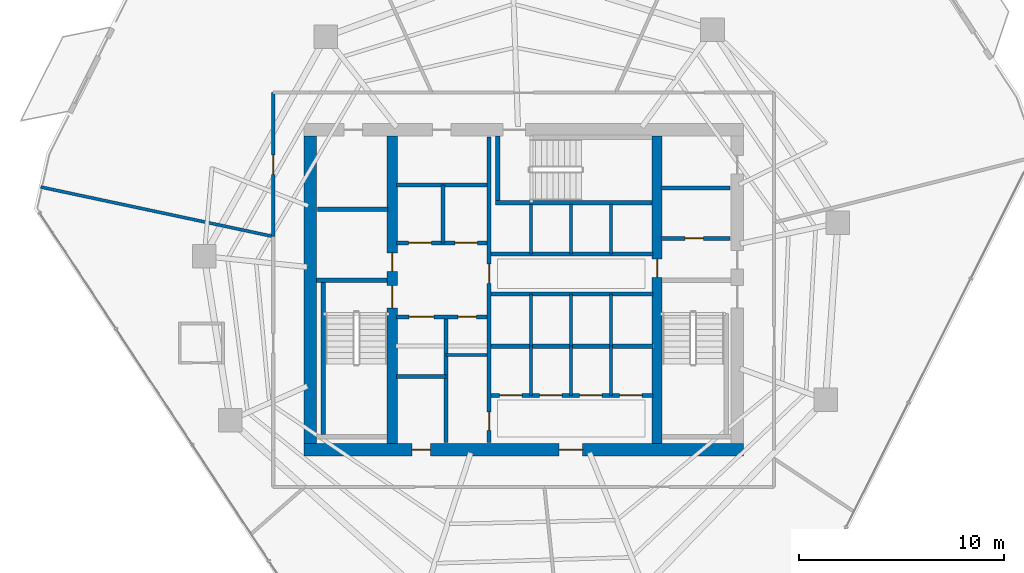
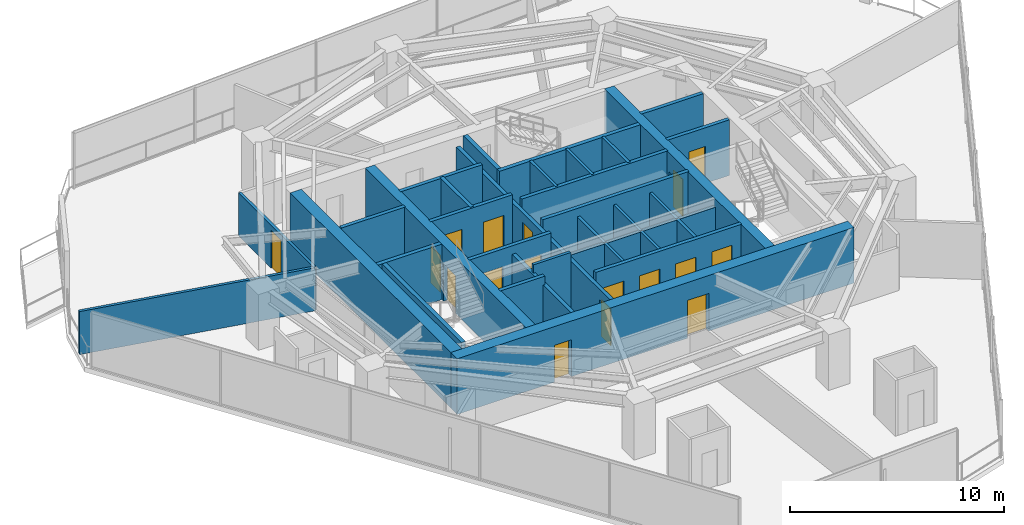
# One storey, part 25 of 30: 34 walls, 17 doors, 17 openings.
"""IFC4 building model written with IfcOpenShell, lengths in metres."""

from ifc_helpers import new_model, si_unit, direction, frame, frame_2d, origin, place, context, subcontext, project, spatial, rectangle, extrude, material, layer, layer_set, type_object, element, fill, save


model = new_model("IFC4")

# Units and contexts
model_context = context("Model", 3, precision=1e-05, world=origin(), true_north=direction((0.0, 1.0)))
body_context = subcontext(model_context, "Body", "Model", "MODEL_VIEW")
ifc_project = project(units=[si_unit("LENGTHUNIT", "METRE"), si_unit("AREAUNIT", "SQUARE_METRE"), si_unit("VOLUMEUNIT", "CUBIC_METRE"), si_unit("PLANEANGLEUNIT", "RADIAN"), si_unit("MASSUNIT", "GRAM", prefix="KILO")], contexts=[model_context])

# Site, building, storey
site_placement = place(None, origin())
site = spatial("IfcSite", under=ifc_project, at=site_placement, CompositionType="ELEMENT")
building_placement = place(site_placement, origin())
building = spatial("IfcBuilding", under=site, at=building_placement, Name="Qarnah Convention Tower", CompositionType="ELEMENT")
storey_placement = place(building_placement, frame((0.0, 0.0, 79.800048828125)))
storey = spatial("IfcBuildingStorey", under=building, at=storey_placement, Name="L20", CompositionType="ELEMENT", Elevation=79.800048828125)

# Wall, openings, doors
ifc_material_1 = material(Name="Concrete C60/75", Category="concrete")
ifc_layer_1 = layer(ifc_material_1, 0.60009765625)
ifc_layer_set_1 = layer_set([ifc_layer_1], Name="Concrete C60/75")
wall_type_1 = type_object("IfcWallType", Name="WL-CORE-600", PredefinedType="SHEAR", material=ifc_layer_set_1)
wall_1_placement = place(storey_placement, frame((26.5, 18.60009765625, 0.0), z_axis=(0.0, 0.0, 1.0), x_axis=(1.0, 0.0, 0.0)))
wall_1 = element("IfcWall", 1, at=wall_1_placement, inside=storey, type_object=wall_type_1, Name="L20 core south shear wall", PredefinedType="SHEAR", context=body_context, shape_type="SweptSolid", body=[
    extrude(rectangle(XDim=21.39990234375, YDim=0.60009765625, at=frame_2d((10.699951171875, 0.0))), origin(), (0.0, 0.0, 1.0), 3.169921875),
])
opening_1_placement = place(wall_1_placement, frame((12.425048828125, 0.0, 0.0)))
opening_1 = element("IfcOpeningElement", 2, at=opening_1_placement, cuts=wall_1, Name="Opening D-2007", PredefinedType="OPENING", context=body_context, shape_type="SweptSolid", body=[
    extrude(rectangle(XDim=1.14990234375, YDim=2.14990234375, at=frame_2d((0.574951171875, 1.074951171875))), frame((0.0, 0.31005859375, 0.0), z_axis=(0.0, -1.0, 0.0), x_axis=(1.0, 0.0, 0.0)), (0.0, 0.0, 1.0), 0.6201171875),
])
opening_2_placement = place(wall_1_placement, frame((5.25, 0.0, 0.0)))
opening_2 = element("IfcOpeningElement", 3, at=opening_2_placement, cuts=wall_1, Name="Opening D-2013", PredefinedType="OPENING", context=body_context, shape_type="SweptSolid", body=[
    extrude(rectangle(XDim=0.89990234375, YDim=2.10009765625, at=frame_2d((0.449951171875, 1.050048828125))), frame((0.0, 0.31005859375, 0.0), z_axis=(0.0, -1.0, 0.0), x_axis=(1.0, 0.0, 0.0)), (0.0, 0.0, 1.0), 0.6201171875),
])
ifc_material_2 = material(Name="Structural steel S355JR", Category="steel")
door_type_1 = type_object("IfcDoorType", Name="DT-LOBBY-1150", OperationType="NOTDEFINED", PredefinedType="DOOR", material=ifc_material_2)
door_1_placement = place(opening_1_placement, origin())
door_1 = element("IfcDoor", 4, at=door_1_placement, inside=storey, type_object=door_type_1, Name="Door D-2007", OperationType="SINGLE_SWING_RIGHT", OverallHeight=2.14990234375, OverallWidth=1.14990234375, PredefinedType="DOOR", context=body_context, shape_type="SweptSolid", body=[
    extrude(rectangle(XDim=1.14990234375, YDim=2.14990234375, at=frame_2d((0.574951171875, 1.074951171875))), frame((0.0, 0.02490234375, 0.0), z_axis=(0.0, -1.0, 0.0), x_axis=(1.0, 0.0, 0.0)), (0.0, 0.0, 1.0), 0.050048828125),
])
fill(opening_1, door_1)
door_type_2 = type_object("IfcDoorType", Name="DT-RISER-900", OperationType="NOTDEFINED", PredefinedType="DOOR", material=ifc_material_2)
door_2_placement = place(opening_2_placement, origin())
door_2 = element("IfcDoor", 5, at=door_2_placement, inside=storey, type_object=door_type_2, Name="Door D-2013", OperationType="SINGLE_SWING_RIGHT", OverallHeight=2.10009765625, OverallWidth=0.89990234375, PredefinedType="DOOR", context=body_context, shape_type="SweptSolid", body=[
    extrude(rectangle(XDim=0.89990234375, YDim=2.10009765625, at=frame_2d((0.449951171875, 1.050048828125))), frame((0.0, 0.02490234375, 0.0), z_axis=(0.0, -1.0, 0.0), x_axis=(1.0, 0.0, 0.0)), (0.0, 0.0, 1.0), 0.050048828125),
])
fill(opening_2, door_2)

# Wall
wall_2_placement = place(storey_placement, frame((26.800048828125, 18.89990234375, 0.0), z_axis=(0.0, 0.0, 1.0), x_axis=(0.0, 1.0, 0.0)))
element("IfcWall", 6, at=wall_2_placement, inside=storey, type_object=wall_type_1, Name="L20 core west shear wall", PredefinedType="SHEAR", context=body_context, shape_type="SweptSolid", body=[
    extrude(rectangle(XDim=15.0, YDim=0.60009765625, at=frame_2d((7.5, 0.0))), origin(), (0.0, 0.0, 1.0), 3.169921875),
])

# Wall, openings, doors
ifc_layer_2 = layer(ifc_material_1, 0.5)
ifc_layer_set_2 = layer_set([ifc_layer_2], Name="Concrete C60/75")
wall_type_2 = type_object("IfcWallType", Name="WL-CORE-INT-400", PredefinedType="SHEAR", material=ifc_layer_set_2)
wall_3_placement = place(storey_placement, frame((30.800048828125, 18.89990234375, 0.0), z_axis=(0.0, 0.0, 1.0), x_axis=(0.0, 1.0, 0.0)))
wall_3 = element("IfcWall", 7, at=wall_3_placement, inside=storey, type_object=wall_type_2, Name="L20 core west spine shear wall", PredefinedType="SHEAR", context=body_context, shape_type="SweptSolid", body=[
    extrude(rectangle(XDim=15.0, YDim=0.5, at=frame_2d((7.5, 0.0))), origin(), (0.0, 0.0, 1.0), 3.169921875),
])
opening_3_placement = place(wall_3_placement, frame((6.60009765625, 0.0, 0.0)))
opening_3 = element("IfcOpeningElement", 8, at=opening_3_placement, cuts=wall_3, Name="Opening D-2001", PredefinedType="OPENING", context=body_context, shape_type="SweptSolid", body=[
    extrude(rectangle(XDim=1.10009765625, YDim=2.14990234375, at=frame_2d((0.550048828125, 1.074951171875))), frame((0.0, 0.260009765625, 0.0), z_axis=(0.0, -1.0, 0.0), x_axis=(1.0, 0.0, 0.0)), (0.0, 0.0, 1.0), 0.52001953125),
])
opening_4_placement = place(wall_3_placement, frame((8.39990234375, 0.0, 0.0)))
opening_4 = element("IfcOpeningElement", 9, at=opening_4_placement, cuts=wall_3, Name="Opening D-2008", PredefinedType="OPENING", context=body_context, shape_type="SweptSolid", body=[
    extrude(rectangle(XDim=0.89990234375, YDim=2.10009765625, at=frame_2d((0.449951171875, 1.050048828125))), frame((0.0, 0.260009765625, 0.0), z_axis=(0.0, -1.0, 0.0), x_axis=(1.0, 0.0, 0.0)), (0.0, 0.0, 1.0), 0.52001953125),
])
door_3_placement = place(opening_4_placement, origin())
door_3 = element("IfcDoor", 10, at=door_3_placement, inside=storey, type_object=door_type_2, Name="Door D-2008", OperationType="SINGLE_SWING_LEFT", OverallHeight=2.10009765625, OverallWidth=0.89990234375, PredefinedType="DOOR", context=body_context, shape_type="SweptSolid", body=[
    extrude(rectangle(XDim=0.89990234375, YDim=2.10009765625, at=frame_2d((0.449951171875, 1.050048828125))), frame((0.0, 0.02490234375, 0.0), z_axis=(0.0, -1.0, 0.0), x_axis=(1.0, 0.0, 0.0)), (0.0, 0.0, 1.0), 0.050048828125),
])
fill(opening_4, door_3)
door_type_3 = type_object("IfcDoorType", Name="DT-STAIR-1100", OperationType="NOTDEFINED", PredefinedType="DOOR", material=ifc_material_2)
door_4_placement = place(opening_3_placement, origin())
door_4 = element("IfcDoor", 11, at=door_4_placement, inside=storey, type_object=door_type_3, Name="Door D-2001", OperationType="SINGLE_SWING_RIGHT", OverallHeight=2.14990234375, OverallWidth=1.10009765625, PredefinedType="DOOR", context=body_context, shape_type="SweptSolid", body=[
    extrude(rectangle(XDim=1.10009765625, YDim=2.14990234375, at=frame_2d((0.550048828125, 1.074951171875))), frame((0.0, 0.02490234375, 0.0), z_axis=(0.0, -1.0, 0.0), x_axis=(1.0, 0.0, 0.0)), (0.0, 0.0, 1.0), 0.050048828125),
])
fill(opening_3, door_4)

# Wall, opening, door
wall_4_placement = place(storey_placement, frame((43.699951171875, 18.89990234375, 0.0), z_axis=(0.0, 0.0, 1.0), x_axis=(0.0, 1.0, 0.0)))
wall_4 = element("IfcWall", 12, at=wall_4_placement, inside=storey, type_object=wall_type_2, Name="L20 core east spine shear wall", PredefinedType="SHEAR", context=body_context, shape_type="SweptSolid", body=[
    extrude(rectangle(XDim=15.0, YDim=0.5, at=frame_2d((7.5, 0.0))), origin(), (0.0, 0.0, 1.0), 3.169921875),
])
opening_5_placement = place(wall_4_placement, frame((8.10009765625, 0.0, 0.0)))
opening_5 = element("IfcOpeningElement", 13, at=opening_5_placement, cuts=wall_4, Name="Opening D-2005", PredefinedType="OPENING", context=body_context, shape_type="SweptSolid", body=[
    extrude(rectangle(XDim=0.89990234375, YDim=2.10009765625, at=frame_2d((0.449951171875, 1.050048828125))), frame((0.0, 0.260009765625, 0.0), z_axis=(0.0, -1.0, 0.0), x_axis=(1.0, 0.0, 0.0)), (0.0, 0.0, 1.0), 0.52001953125),
])
door_5_placement = place(opening_5_placement, origin())
door_5 = element("IfcDoor", 14, at=door_5_placement, inside=storey, type_object=door_type_2, Name="Door D-2005", OperationType="SINGLE_SWING_RIGHT", OverallHeight=2.10009765625, OverallWidth=0.89990234375, PredefinedType="DOOR", context=body_context, shape_type="SweptSolid", body=[
    extrude(rectangle(XDim=0.89990234375, YDim=2.10009765625, at=frame_2d((0.449951171875, 1.050048828125))), frame((0.0, 0.02490234375, 0.0), z_axis=(0.0, -1.0, 0.0), x_axis=(1.0, 0.0, 0.0)), (0.0, 0.0, 1.0), 0.050048828125),
])
fill(opening_5, door_5)

# Wall
ifc_material_3 = material(Name="Concrete C45/55", Category="concrete")
ifc_layer_3 = layer(ifc_material_3, 0.199951171875)
ifc_layer_set_3 = layer_set([ifc_layer_3], Name="Concrete C45/55")
wall_type_3 = type_object("IfcWallType", Name="WL-CORE-PART-200", PredefinedType="SOLIDWALL", material=ifc_layer_set_3)
wall_5_placement = place(storey_placement, frame((27.14990234375, 30.320068359375, 0.0), z_axis=(0.0, 0.0, 1.0), x_axis=(1.0, 0.0, 0.0)))
element("IfcWall", 15, at=wall_5_placement, inside=storey, type_object=wall_type_3, Name="L20 interior wall IW-L20-ELRN", PredefinedType="SOLIDWALL", context=body_context, shape_type="SweptSolid", body=[
    extrude(rectangle(XDim=3.4501953125, YDim=0.199951171875, at=frame_2d((1.72509765625, 0.0))), origin(), (0.0, 0.0, 1.0), 3.169921875),
])

# Wall, opening, door
wall_6_placement = place(storey_placement, frame((43.89990234375, 28.89990234375, 0.0), z_axis=(0.0, 0.0, 1.0), x_axis=(1.0, 0.0, 0.0)))
wall_6 = element("IfcWall", 16, at=wall_6_placement, inside=storey, type_object=wall_type_3, Name="L20 interior wall IW-L20-EVSTN", PredefinedType="SOLIDWALL", context=body_context, shape_type="SweptSolid", body=[
    extrude(rectangle(XDim=3.35009765625, YDim=0.199951171875, at=frame_2d((1.675048828125, 0.0))), origin(), (0.0, 0.0, 1.0), 3.169921875),
])
opening_6_placement = place(wall_6_placement, frame((1.14990234375, 0.0, 0.0)))
opening_6 = element("IfcOpeningElement", 17, at=opening_6_placement, cuts=wall_6, Name="Opening D-2011", PredefinedType="OPENING", context=body_context, shape_type="SweptSolid", body=[
    extrude(rectangle(XDim=0.89990234375, YDim=2.10009765625, at=frame_2d((0.449951171875, 1.050048828125))), frame((0.0, 0.10986328125, 0.0), z_axis=(0.0, -1.0, 0.0), x_axis=(1.0, 0.0, 0.0)), (0.0, 0.0, 1.0), 0.219970703125),
])
door_6_placement = place(opening_6_placement, origin())
door_6 = element("IfcDoor", 18, at=door_6_placement, inside=storey, type_object=door_type_2, Name="Door D-2011", OperationType="SINGLE_SWING_RIGHT", OverallHeight=2.10009765625, OverallWidth=0.89990234375, PredefinedType="DOOR", context=body_context, shape_type="SweptSolid", body=[
    extrude(rectangle(XDim=0.89990234375, YDim=2.10009765625, at=frame_2d((0.449951171875, 1.050048828125))), frame((0.0, 0.02490234375, 0.0), z_axis=(0.0, -1.0, 0.0), x_axis=(1.0, 0.0, 0.0)), (0.0, 0.0, 1.0), 0.050048828125),
])
fill(opening_6, door_6)

# Wall
wall_7_placement = place(storey_placement, frame((43.89990234375, 31.35009765625, 0.0), z_axis=(0.0, 0.0, 1.0), x_axis=(1.0, 0.0, 0.0)))
element("IfcWall", 19, at=wall_7_placement, inside=storey, type_object=wall_type_3, Name="L20 interior wall IW-L20-WTRN", PredefinedType="SOLIDWALL", context=body_context, shape_type="SweptSolid", body=[
    extrude(rectangle(XDim=3.35009765625, YDim=0.199951171875, at=frame_2d((1.675048828125, 0.0))), origin(), (0.0, 0.0, 1.0), 3.169921875),
])

# Wall, openings, doors
wall_8_placement = place(storey_placement, frame((35.52001953125, 18.949951171875, 0.0), z_axis=(0.0, 0.0, 1.0), x_axis=(0.0, 1.0, 0.0)))
wall_8 = element("IfcWall", 20, at=wall_8_placement, inside=storey, type_object=wall_type_3, Name="L20 interior wall IW-L20-CSP", PredefinedType="SOLIDWALL", context=body_context, shape_type="SweptSolid", body=[
    extrude(rectangle(XDim=14.900146484375, YDim=0.199951171875, at=frame_2d((7.4501953125, 0.0))), origin(), (0.0, 0.0, 1.0), 2.69091796875),
])
opening_7_placement = place(wall_8_placement, frame((7.7548828125, 0.0, 0.0)))
opening_7 = element("IfcOpeningElement", 21, at=opening_7_placement, cuts=wall_8, Name="Opening D-2004", PredefinedType="OPENING", context=body_context, shape_type="SweptSolid", body=[
    extrude(rectangle(XDim=0.949951171875, YDim=2.14990234375, at=frame_2d((0.47509765625, 1.074951171875))), frame((0.0, 0.10986328125, 0.0), z_axis=(0.0, -1.0, 0.0), x_axis=(1.0, 0.0, 0.0)), (0.0, 0.0, 1.0), 0.219970703125),
])
opening_8_placement = place(wall_8_placement, frame((0.60009765625, 0.0, 0.0)))
opening_8 = element("IfcOpeningElement", 22, at=opening_8_placement, cuts=wall_8, Name="Opening D-2014", PredefinedType="OPENING", context=body_context, shape_type="SweptSolid", body=[
    extrude(rectangle(XDim=0.89990234375, YDim=2.10009765625, at=frame_2d((0.449951171875, 1.050048828125))), frame((0.0, 0.10986328125, 0.0), z_axis=(0.0, -1.0, 0.0), x_axis=(1.0, 0.0, 0.0)), (0.0, 0.0, 1.0), 0.219970703125),
])
ifc_material_4 = material(Name="Oak timber veneer", Category="wood")
door_type_4 = type_object("IfcDoorType", Name="DT-HOTEL-950", OperationType="NOTDEFINED", PredefinedType="DOOR", material=ifc_material_4)
door_7_placement = place(opening_7_placement, origin())
door_7 = element("IfcDoor", 23, at=door_7_placement, inside=storey, type_object=door_type_4, Name="Door D-2004", OperationType="SINGLE_SWING_LEFT", OverallHeight=2.14990234375, OverallWidth=0.949951171875, PredefinedType="DOOR", context=body_context, shape_type="SweptSolid", body=[
    extrude(rectangle(XDim=0.949951171875, YDim=2.14990234375, at=frame_2d((0.47509765625, 1.074951171875))), frame((0.0, 0.02490234375, 0.0), z_axis=(0.0, -1.0, 0.0), x_axis=(1.0, 0.0, 0.0)), (0.0, 0.0, 1.0), 0.050048828125),
])
fill(opening_7, door_7)
door_8_placement = place(opening_8_placement, origin())
door_8 = element("IfcDoor", 24, at=door_8_placement, inside=storey, type_object=door_type_2, Name="Door D-2014", OperationType="SINGLE_SWING_LEFT", OverallHeight=2.10009765625, OverallWidth=0.89990234375, PredefinedType="DOOR", context=body_context, shape_type="SweptSolid", body=[
    extrude(rectangle(XDim=0.89990234375, YDim=2.10009765625, at=frame_2d((0.449951171875, 1.050048828125))), frame((0.0, 0.02490234375, 0.0), z_axis=(0.0, -1.0, 0.0), x_axis=(1.0, 0.0, 0.0)), (0.0, 0.0, 1.0), 0.050048828125),
])
fill(opening_8, door_8)

wall_9_placement = place(storey_placement, frame((31.0, 28.679931640625, 0.0), z_axis=(0.0, 0.0, 1.0), x_axis=(1.0, 0.0, 0.0)))
wall_9 = element("IfcWall", 25, at=wall_9_placement, inside=storey, type_object=wall_type_3, Name="L20 interior wall IW-L20-FFLS", PredefinedType="SOLIDWALL", context=body_context, shape_type="SweptSolid", body=[
    extrude(rectangle(XDim=4.419921875, YDim=0.199951171875, at=frame_2d((2.2099609375, 0.0))), origin(), (0.0, 0.0, 1.0), 3.169921875),
])
opening_9_placement = place(wall_9_placement, frame((0.60009765625, 0.0, 0.0)))
opening_9 = element("IfcOpeningElement", 26, at=opening_9_placement, cuts=wall_9, Name="Opening LD-2001", PredefinedType="OPENING", context=body_context, shape_type="SweptSolid", body=[
    extrude(rectangle(XDim=1.10009765625, YDim=2.14990234375, at=frame_2d((0.550048828125, 1.074951171875))), frame((0.0, 0.10986328125, 0.0), z_axis=(0.0, -1.0, 0.0), x_axis=(1.0, 0.0, 0.0)), (0.0, 0.0, 1.0), 0.219970703125),
])
opening_10_placement = place(wall_9_placement, frame((2.85009765625, 0.0, 0.0)))
opening_10 = element("IfcOpeningElement", 27, at=opening_10_placement, cuts=wall_9, Name="Opening LD-2002", PredefinedType="OPENING", context=body_context, shape_type="SweptSolid", body=[
    extrude(rectangle(XDim=1.10009765625, YDim=2.14990234375, at=frame_2d((0.550048828125, 1.074951171875))), frame((0.0, 0.10986328125, 0.0), z_axis=(0.0, -1.0, 0.0), x_axis=(1.0, 0.0, 0.0)), (0.0, 0.0, 1.0), 0.219970703125),
])
door_type_5 = type_object("IfcDoorType", Name="DT-LIFT-1100", OperationType="SLIDING_TO_LEFT", PredefinedType="DOOR", material=ifc_material_2)
door_9_placement = place(opening_9_placement, origin())
door_9 = element("IfcDoor", 28, at=door_9_placement, inside=storey, type_object=door_type_5, Name="Door LD-2001", OperationType="SLIDING_TO_LEFT", OverallHeight=2.14990234375, OverallWidth=1.10009765625, PredefinedType="DOOR", context=body_context, shape_type="SweptSolid", body=[
    extrude(rectangle(XDim=1.10009765625, YDim=2.14990234375, at=frame_2d((0.550048828125, 1.074951171875))), frame((0.0, 0.02490234375, 0.0), z_axis=(0.0, -1.0, 0.0), x_axis=(1.0, 0.0, 0.0)), (0.0, 0.0, 1.0), 0.050048828125),
])
fill(opening_9, door_9)
door_10_placement = place(opening_10_placement, origin())
door_10 = element("IfcDoor", 29, at=door_10_placement, inside=storey, type_object=door_type_5, Name="Door LD-2002", OperationType="SLIDING_TO_LEFT", OverallHeight=2.14990234375, OverallWidth=1.10009765625, PredefinedType="DOOR", context=body_context, shape_type="SweptSolid", body=[
    extrude(rectangle(XDim=1.10009765625, YDim=2.14990234375, at=frame_2d((0.550048828125, 1.074951171875))), frame((0.0, 0.02490234375, 0.0), z_axis=(0.0, -1.0, 0.0), x_axis=(1.0, 0.0, 0.0)), (0.0, 0.0, 1.0), 0.050048828125),
])
fill(opening_10, door_10)

# Walls
wall_10_placement = place(storey_placement, frame((31.0, 31.5, 0.0), z_axis=(0.0, 0.0, 1.0), x_axis=(1.0, 0.0, 0.0)))
element("IfcWall", 30, at=wall_10_placement, inside=storey, type_object=wall_type_3, Name="L20 interior wall IW-L20-FFLN", PredefinedType="SOLIDWALL", context=body_context, shape_type="SweptSolid", body=[
    extrude(rectangle(XDim=4.419921875, YDim=0.199951171875, at=frame_2d((2.2099609375, 0.0))), origin(), (0.0, 0.0, 1.0), 3.169921875),
])
wall_11_placement = place(storey_placement, frame((33.280029296875, 28.679931640625, 0.0), z_axis=(0.0, 0.0, 1.0), x_axis=(0.0, 1.0, 0.0)))
element("IfcWall", 31, at=wall_11_placement, inside=storey, type_object=wall_type_3, Name="L20 interior wall IW-L20-FFLM", PredefinedType="SOLIDWALL", context=body_context, shape_type="SweptSolid", body=[
    extrude(rectangle(XDim=2.820068359375, YDim=0.199951171875, at=frame_2d((1.41015625, 0.0))), origin(), (0.0, 0.0, 1.0), 3.169921875),
])

# Wall, openings, doors
wall_12_placement = place(storey_placement, frame((31.0, 25.080078125, 0.0), z_axis=(0.0, 0.0, 1.0), x_axis=(1.0, 0.0, 0.0)))
wall_12 = element("IfcWall", 32, at=wall_12_placement, inside=storey, type_object=wall_type_3, Name="L20 interior wall IW-L20-FFLBS", PredefinedType="SOLIDWALL", context=body_context, shape_type="SweptSolid", body=[
    extrude(rectangle(XDim=4.419921875, YDim=0.199951171875, at=frame_2d((2.2099609375, 0.0))), origin(), (0.0, 0.0, 1.0), 3.169921875),
])
opening_11_placement = place(wall_12_placement, frame((3.0, 0.0, 0.0)))
opening_11 = element("IfcOpeningElement", 33, at=opening_11_placement, cuts=wall_12, Name="Opening D-2015", PredefinedType="OPENING", context=body_context, shape_type="SweptSolid", body=[
    extrude(rectangle(XDim=0.89990234375, YDim=2.10009765625, at=frame_2d((0.449951171875, 1.050048828125))), frame((0.0, 0.10986328125, 0.0), z_axis=(0.0, -1.0, 0.0), x_axis=(1.0, 0.0, 0.0)), (0.0, 0.0, 1.0), 0.219970703125),
])
opening_12_placement = place(wall_12_placement, frame((0.6201171875, 0.0, 0.0)))
opening_12 = element("IfcOpeningElement", 34, at=opening_12_placement, cuts=wall_12, Name="Opening LD-2003", PredefinedType="OPENING", context=body_context, shape_type="SweptSolid", body=[
    extrude(rectangle(XDim=1.199951171875, YDim=2.14990234375, at=frame_2d((0.60009765625, 1.074951171875))), frame((0.0, 0.10986328125, 0.0), z_axis=(0.0, -1.0, 0.0), x_axis=(1.0, 0.0, 0.0)), (0.0, 0.0, 1.0), 0.219970703125),
])
door_type_6 = type_object("IfcDoorType", Name="DT-LIFT-1200", OperationType="SLIDING_TO_LEFT", PredefinedType="DOOR", material=ifc_material_2)
door_11_placement = place(opening_12_placement, origin())
door_11 = element("IfcDoor", 35, at=door_11_placement, inside=storey, type_object=door_type_6, Name="Door LD-2003", OperationType="SLIDING_TO_LEFT", OverallHeight=2.14990234375, OverallWidth=1.199951171875, PredefinedType="DOOR", context=body_context, shape_type="SweptSolid", body=[
    extrude(rectangle(XDim=1.199951171875, YDim=2.14990234375, at=frame_2d((0.60009765625, 1.074951171875))), frame((0.0, 0.02490234375, 0.0), z_axis=(0.0, -1.0, 0.0), x_axis=(1.0, 0.0, 0.0)), (0.0, 0.0, 1.0), 0.050048828125),
])
fill(opening_12, door_11)
door_12_placement = place(opening_11_placement, origin())
door_12 = element("IfcDoor", 36, at=door_12_placement, inside=storey, type_object=door_type_2, Name="Door D-2015", OperationType="SINGLE_SWING_RIGHT", OverallHeight=2.10009765625, OverallWidth=0.89990234375, PredefinedType="DOOR", context=body_context, shape_type="SweptSolid", body=[
    extrude(rectangle(XDim=0.89990234375, YDim=2.10009765625, at=frame_2d((0.449951171875, 1.050048828125))), frame((0.0, 0.02490234375, 0.0), z_axis=(0.0, -1.0, 0.0), x_axis=(1.0, 0.0, 0.0)), (0.0, 0.0, 1.0), 0.050048828125),
])
fill(opening_11, door_12)

# Walls
wall_13_placement = place(storey_placement, frame((33.419921875, 18.949951171875, 0.0), z_axis=(0.0, 0.0, 1.0), x_axis=(0.0, 1.0, 0.0)))
element("IfcWall", 37, at=wall_13_placement, inside=storey, type_object=wall_type_3, Name="L20 interior wall IW-L20-SVLE", PredefinedType="SOLIDWALL", context=body_context, shape_type="SweptSolid", body=[
    extrude(rectangle(XDim=6.130126953125, YDim=0.199951171875, at=frame_2d((3.06494140625, 0.0))), origin(), (0.0, 0.0, 1.0), 2.69091796875),
])
wall_14_placement = place(storey_placement, frame((31.0, 22.179931640625, 0.0), z_axis=(0.0, 0.0, 1.0), x_axis=(1.0, 0.0, 0.0)))
element("IfcWall", 38, at=wall_14_placement, inside=storey, type_object=wall_type_3, Name="L20 interior wall IW-L20-SVLS", PredefinedType="SOLIDWALL", context=body_context, shape_type="SweptSolid", body=[
    extrude(rectangle(XDim=2.419921875, YDim=0.199951171875, at=frame_2d((1.2099609375, 0.0))), origin(), (0.0, 0.0, 1.0), 3.169921875),
])
for number, where, z_axis, x_axis, name in (
    (39, (35.6201171875, 28.14990234375, 0.0), (0.0, 0.0, 1.0), (1.0, 0.0, 0.0), "L20 interior wall IW-L20-PHS"),
    (40, (35.6201171875, 26.199951171875, 0.0), (0.0, 0.0, 1.0), (1.0, 0.0, 0.0), "L20 interior wall IW-L20-PMN"),
):
    element("IfcWall", number, at=place(storey_placement, frame(where, z_axis=z_axis, x_axis=x_axis)), inside=storey, type_object=wall_type_3, Name=name, PredefinedType="SOLIDWALL", context=body_context, shape_type="SweptSolid", body=[
        extrude(rectangle(XDim=7.8798828125, YDim=0.199951171875, at=frame_2d((3.93994140625, 0.0))), origin(), (0.0, 0.0, 1.0), 3.169921875),
    ])
wall_15_placement = place(storey_placement, frame((35.6201171875, 23.64990234375, 0.0), z_axis=(0.0, 0.0, 1.0), x_axis=(1.0, 0.0, 0.0)))
element("IfcWall", 41, at=wall_15_placement, inside=storey, type_object=wall_type_3, Name="L20 interior wall IW-L20-PMPL", PredefinedType="SOLIDWALL", context=body_context, shape_type="SweptSolid", body=[
    extrude(rectangle(XDim=7.8798828125, YDim=0.199951171875, at=frame_2d((3.93994140625, 0.0))), origin(), (0.0, 0.0, 1.0), 2.69091796875),
])

# Wall, openings, doors
wall_16_placement = place(storey_placement, frame((35.6201171875, 21.25, 0.0), z_axis=(0.0, 0.0, 1.0), x_axis=(1.0, 0.0, 0.0)))
wall_16 = element("IfcWall", 42, at=wall_16_placement, inside=storey, type_object=wall_type_3, Name="L20 interior wall IW-L20-PLS", PredefinedType="SOLIDWALL", context=body_context, shape_type="SweptSolid", body=[
    extrude(rectangle(XDim=7.8798828125, YDim=0.199951171875, at=frame_2d((3.93994140625, 0.0))), origin(), (0.0, 0.0, 1.0), 3.169921875),
])
opening_13_placement = place(wall_16_placement, frame((0.405029296875, 0.0, 0.0)))
opening_13 = element("IfcOpeningElement", 43, at=opening_13_placement, cuts=wall_16, Name="Opening LD-2004", PredefinedType="OPENING", context=body_context, shape_type="SweptSolid", body=[
    extrude(rectangle(XDim=1.10009765625, YDim=2.14990234375, at=frame_2d((0.550048828125, 1.074951171875))), frame((0.0, 0.10986328125, 0.0), z_axis=(0.0, -1.0, 0.0), x_axis=(1.0, 0.0, 0.0)), (0.0, 0.0, 1.0), 0.219970703125),
])
opening_14_placement = place(wall_16_placement, frame((2.35498046875, 0.0, 0.0)))
opening_14 = element("IfcOpeningElement", 44, at=opening_14_placement, cuts=wall_16, Name="Opening LD-2005", PredefinedType="OPENING", context=body_context, shape_type="SweptSolid", body=[
    extrude(rectangle(XDim=1.10009765625, YDim=2.14990234375, at=frame_2d((0.550048828125, 1.074951171875))), frame((0.0, 0.10986328125, 0.0), z_axis=(0.0, -1.0, 0.0), x_axis=(1.0, 0.0, 0.0)), (0.0, 0.0, 1.0), 0.219970703125),
])
opening_15_placement = place(wall_16_placement, frame((4.304931640625, 0.0, 0.0)))
opening_15 = element("IfcOpeningElement", 45, at=opening_15_placement, cuts=wall_16, Name="Opening LD-2006", PredefinedType="OPENING", context=body_context, shape_type="SweptSolid", body=[
    extrude(rectangle(XDim=1.10009765625, YDim=2.14990234375, at=frame_2d((0.550048828125, 1.074951171875))), frame((0.0, 0.10986328125, 0.0), z_axis=(0.0, -1.0, 0.0), x_axis=(1.0, 0.0, 0.0)), (0.0, 0.0, 1.0), 0.219970703125),
])
opening_16_placement = place(wall_16_placement, frame((6.2548828125, 0.0, 0.0)))
opening_16 = element("IfcOpeningElement", 46, at=opening_16_placement, cuts=wall_16, Name="Opening LD-2007", PredefinedType="OPENING", context=body_context, shape_type="SweptSolid", body=[
    extrude(rectangle(XDim=1.10009765625, YDim=2.14990234375, at=frame_2d((0.550048828125, 1.074951171875))), frame((0.0, 0.10986328125, 0.0), z_axis=(0.0, -1.0, 0.0), x_axis=(1.0, 0.0, 0.0)), (0.0, 0.0, 1.0), 0.219970703125),
])
door_13_placement = place(opening_13_placement, origin())
door_13 = element("IfcDoor", 47, at=door_13_placement, inside=storey, type_object=door_type_5, Name="Door LD-2004", OperationType="SLIDING_TO_LEFT", OverallHeight=2.14990234375, OverallWidth=1.10009765625, PredefinedType="DOOR", context=body_context, shape_type="SweptSolid", body=[
    extrude(rectangle(XDim=1.10009765625, YDim=2.14990234375, at=frame_2d((0.550048828125, 1.074951171875))), frame((0.0, 0.02490234375, 0.0), z_axis=(0.0, -1.0, 0.0), x_axis=(1.0, 0.0, 0.0)), (0.0, 0.0, 1.0), 0.050048828125),
])
fill(opening_13, door_13)
door_14_placement = place(opening_14_placement, origin())
door_14 = element("IfcDoor", 48, at=door_14_placement, inside=storey, type_object=door_type_5, Name="Door LD-2005", OperationType="SLIDING_TO_LEFT", OverallHeight=2.14990234375, OverallWidth=1.10009765625, PredefinedType="DOOR", context=body_context, shape_type="SweptSolid", body=[
    extrude(rectangle(XDim=1.10009765625, YDim=2.14990234375, at=frame_2d((0.550048828125, 1.074951171875))), frame((0.0, 0.02490234375, 0.0), z_axis=(0.0, -1.0, 0.0), x_axis=(1.0, 0.0, 0.0)), (0.0, 0.0, 1.0), 0.050048828125),
])
fill(opening_14, door_14)
door_15_placement = place(opening_15_placement, origin())
door_15 = element("IfcDoor", 49, at=door_15_placement, inside=storey, type_object=door_type_5, Name="Door LD-2006", OperationType="SLIDING_TO_LEFT", OverallHeight=2.14990234375, OverallWidth=1.10009765625, PredefinedType="DOOR", context=body_context, shape_type="SweptSolid", body=[
    extrude(rectangle(XDim=1.10009765625, YDim=2.14990234375, at=frame_2d((0.550048828125, 1.074951171875))), frame((0.0, 0.02490234375, 0.0), z_axis=(0.0, -1.0, 0.0), x_axis=(1.0, 0.0, 0.0)), (0.0, 0.0, 1.0), 0.050048828125),
])
fill(opening_15, door_15)
door_16_placement = place(opening_16_placement, origin())
door_16 = element("IfcDoor", 50, at=door_16_placement, inside=storey, type_object=door_type_5, Name="Door LD-2007", OperationType="SLIDING_TO_LEFT", OverallHeight=2.14990234375, OverallWidth=1.10009765625, PredefinedType="DOOR", context=body_context, shape_type="SweptSolid", body=[
    extrude(rectangle(XDim=1.10009765625, YDim=2.14990234375, at=frame_2d((0.550048828125, 1.074951171875))), frame((0.0, 0.02490234375, 0.0), z_axis=(0.0, -1.0, 0.0), x_axis=(1.0, 0.0, 0.0)), (0.0, 0.0, 1.0), 0.050048828125),
])
fill(opening_16, door_16)

# Walls
ifc_layer_4 = layer(ifc_material_1, 0.219970703125)
ifc_layer_set_4 = layer_set([ifc_layer_4], Name="Concrete C60/75")
wall_type_4 = type_object("IfcWallType", Name="WL-CORE-STAIR-220", PredefinedType="SHEAR", material=ifc_layer_set_4)
wall_17_placement = place(storey_placement, frame((27.10009765625, 26.860107421875, 0.0), z_axis=(0.0, 0.0, 1.0), x_axis=(1.0, 0.0, 0.0)))
element("IfcWall", 51, at=wall_17_placement, inside=storey, type_object=wall_type_4, Name="L20 stair shaft shear wall SW-L20-ST1N", PredefinedType="SHEAR", context=body_context, shape_type="SweptSolid", body=[
    extrude(rectangle(XDim=3.449951171875, YDim=0.219970703125, at=frame_2d((1.72509765625, 0.0))), origin(), (0.0, 0.0, 1.0), 3.169921875),
])
wall_18_placement = place(storey_placement, frame((27.43994140625, 19.35009765625, 0.0), z_axis=(0.0, 0.0, 1.0), x_axis=(0.0, 1.0, 0.0)))
element("IfcWall", 52, at=wall_18_placement, inside=storey, type_object=wall_type_4, Name="L20 stair shaft shear wall SW-L20-ST1W", PredefinedType="SHEAR", context=body_context, shape_type="SweptSolid", body=[
    extrude(rectangle(XDim=7.39990234375, YDim=0.219970703125, at=frame_2d((3.699951171875, 0.0))), origin(), (0.0, 0.0, 1.0), 3.169921875),
])
wall_19_placement = place(storey_placement, frame((35.840087890625, 30.639892578125, 0.0), z_axis=(0.0, 0.0, 1.0), x_axis=(1.0, 0.0, 0.0)))
element("IfcWall", 53, at=wall_19_placement, inside=storey, type_object=wall_type_4, Name="L20 stair shaft shear wall SW-L20-ST3S", PredefinedType="SHEAR", context=body_context, shape_type="SweptSolid", body=[
    extrude(rectangle(XDim=7.60986328125, YDim=0.219970703125, at=frame_2d((3.804931640625, 0.0))), origin(), (0.0, 0.0, 1.0), 3.169921875),
])
wall_20_placement = place(storey_placement, frame((35.93994140625, 30.75, 0.0), z_axis=(0.0, 0.0, 1.0), x_axis=(0.0, 1.0, 0.0)))
element("IfcWall", 54, at=wall_20_placement, inside=storey, type_object=wall_type_4, Name="L20 stair shaft shear wall SW-L20-ST3W", PredefinedType="SHEAR", context=body_context, shape_type="SweptSolid", body=[
    extrude(rectangle(XDim=3.14990234375, YDim=0.219970703125, at=frame_2d((1.574951171875, 0.0))), origin(), (0.0, 0.0, 1.0), 3.169921875),
])
ifc_material_5 = material(Name="Gypsum partition board")
ifc_layer_5 = layer(ifc_material_5, 0.14990234375)
ifc_layer_set_5 = layer_set([ifc_layer_5], Name="Gypsum partition board")
wall_type_5 = type_object("IfcWallType", Name="WL-SUITE-150", PredefinedType="PARTITIONING", material=ifc_layer_set_5)
wall_21_placement = place(storey_placement, frame((33.419921875, 23.219970703125, 0.0), z_axis=(0.0, 0.0, 1.0), x_axis=(1.0, 0.0, 0.0)))
element("IfcWall", 55, at=wall_21_placement, inside=storey, type_object=wall_type_5, Name="L20 interior wall IW-L20-CSV1", PredefinedType="PARTITIONING", context=body_context, shape_type="SweptSolid", body=[
    extrude(rectangle(XDim=2.0, YDim=0.14990234375, at=frame_2d((1.0, 0.0))), origin(), (0.0, 0.0, 1.0), 3.169921875),
])
for number, where, z_axis, x_axis, name in (
    (56, (37.550048828125, 28.14990234375, 0.0), (0.0, 0.0, 1.0), (0.0, 1.0, 0.0), "L20 interior wall IW-L20-PHD1"),
    (57, (39.5, 28.14990234375, 0.0), (0.0, 0.0, 1.0), (0.0, 1.0, 0.0), "L20 interior wall IW-L20-PHD2"),
    (58, (41.449951171875, 28.14990234375, 0.0), (0.0, 0.0, 1.0), (0.0, 1.0, 0.0), "L20 interior wall IW-L20-PHD3"),
):
    element("IfcWall", number, at=place(storey_placement, frame(where, z_axis=z_axis, x_axis=x_axis)), inside=storey, type_object=wall_type_5, Name=name, PredefinedType="PARTITIONING", context=body_context, shape_type="SweptSolid", body=[
        extrude(rectangle(XDim=2.43017578125, YDim=0.14990234375, at=frame_2d((1.215087890625, 0.0))), origin(), (0.0, 0.0, 1.0), 3.169921875),
    ])
for number, where, z_axis, x_axis, name in (
    (59, (37.550048828125, 23.64990234375, 0.0), (0.0, 0.0, 1.0), (0.0, 1.0, 0.0), "L20 interior wall IW-L20-PMD1"),
    (60, (39.5, 23.64990234375, 0.0), (0.0, 0.0, 1.0), (0.0, 1.0, 0.0), "L20 interior wall IW-L20-PMD2"),
    (61, (41.449951171875, 23.64990234375, 0.0), (0.0, 0.0, 1.0), (0.0, 1.0, 0.0), "L20 interior wall IW-L20-PMD3"),
):
    element("IfcWall", number, at=place(storey_placement, frame(where, z_axis=z_axis, x_axis=x_axis)), inside=storey, type_object=wall_type_5, Name=name, PredefinedType="PARTITIONING", context=body_context, shape_type="SweptSolid", body=[
        extrude(rectangle(XDim=2.550048828125, YDim=0.14990234375, at=frame_2d((1.27490234375, 0.0))), origin(), (0.0, 0.0, 1.0), 2.69091796875),
    ])
for number, where, z_axis, x_axis, name in (
    (62, (37.550048828125, 21.25, 0.0), (0.0, 0.0, 1.0), (0.0, 1.0, 0.0), "L20 interior wall IW-L20-PLD1"),
    (63, (39.5, 21.25, 0.0), (0.0, 0.0, 1.0), (0.0, 1.0, 0.0), "L20 interior wall IW-L20-PLD2"),
    (64, (41.449951171875, 21.25, 0.0), (0.0, 0.0, 1.0), (0.0, 1.0, 0.0), "L20 interior wall IW-L20-PLD3"),
):
    element("IfcWall", number, at=place(storey_placement, frame(where, z_axis=z_axis, x_axis=x_axis)), inside=storey, type_object=wall_type_5, Name=name, PredefinedType="PARTITIONING", context=body_context, shape_type="SweptSolid", body=[
        extrude(rectangle(XDim=2.39990234375, YDim=0.14990234375, at=frame_2d((1.199951171875, 0.0))), origin(), (0.0, 0.0, 1.0), 2.69091796875),
    ])
wall_22_placement = place(storey_placement, frame((13.677978515625, 31.403076171875, 0.0), z_axis=(0.0, 0.0, 1.0), x_axis=(0.978084549895, -0.208208100842, 0.0)))
element("IfcWall", 65, at=wall_22_placement, inside=storey, type_object=wall_type_5, Name="L20 interior wall IW-L20-R-20", PredefinedType="PARTITIONING", context=body_context, shape_type="SweptSolid", body=[
    extrude(rectangle(XDim=11.57568359375, YDim=0.14990234375, at=frame_2d((5.787841796875, 0.0))), origin(), (0.0, 0.0, 1.0), 2.454833984375),
])

# Wall, opening, door
wall_23_placement = place(storey_placement, frame((25.0, 28.992919921875, 0.0), z_axis=(0.0, 0.0, 1.0), x_axis=(0.0, 1.0, 0.0)))
wall_23 = element("IfcWall", 66, at=wall_23_placement, inside=storey, type_object=wall_type_5, Name="L20 interior wall IW-L20-R-21", PredefinedType="PARTITIONING", context=body_context, shape_type="SweptSolid", body=[
    extrude(rectangle(XDim=7.007080078125, YDim=0.14990234375, at=frame_2d((3.50341796875, 0.0))), origin(), (0.0, 0.0, 1.0), 2.454833984375),
])
opening_17_placement = place(wall_23_placement, frame((3.028076171875, 0.0, 0.0)))
opening_17 = element("IfcOpeningElement", 67, at=opening_17_placement, cuts=wall_23, Name="Opening D-2018", PredefinedType="OPENING", context=body_context, shape_type="SweptSolid", body=[
    extrude(rectangle(XDim=0.949951171875, YDim=2.14990234375, at=frame_2d((0.47509765625, 1.074951171875))), frame((0.0, 0.0849609375, 0.0), z_axis=(0.0, -1.0, 0.0), x_axis=(1.0, 0.0, 0.0)), (0.0, 0.0, 1.0), 0.169921875),
])
door_17_placement = place(opening_17_placement, origin())
door_17 = element("IfcDoor", 68, at=door_17_placement, inside=storey, type_object=door_type_4, Name="Door D-2018", OperationType="SINGLE_SWING_LEFT", OverallHeight=2.14990234375, OverallWidth=0.949951171875, PredefinedType="DOOR", context=body_context, shape_type="SweptSolid", body=[
    extrude(rectangle(XDim=0.949951171875, YDim=2.14990234375, at=frame_2d((0.47509765625, 1.074951171875))), frame((0.0, 0.02490234375, 0.0), z_axis=(0.0, -1.0, 0.0), x_axis=(1.0, 0.0, 0.0)), (0.0, 0.0, 1.0), 0.050048828125),
])
fill(opening_17, door_17)

save(model, "model.ifc")
